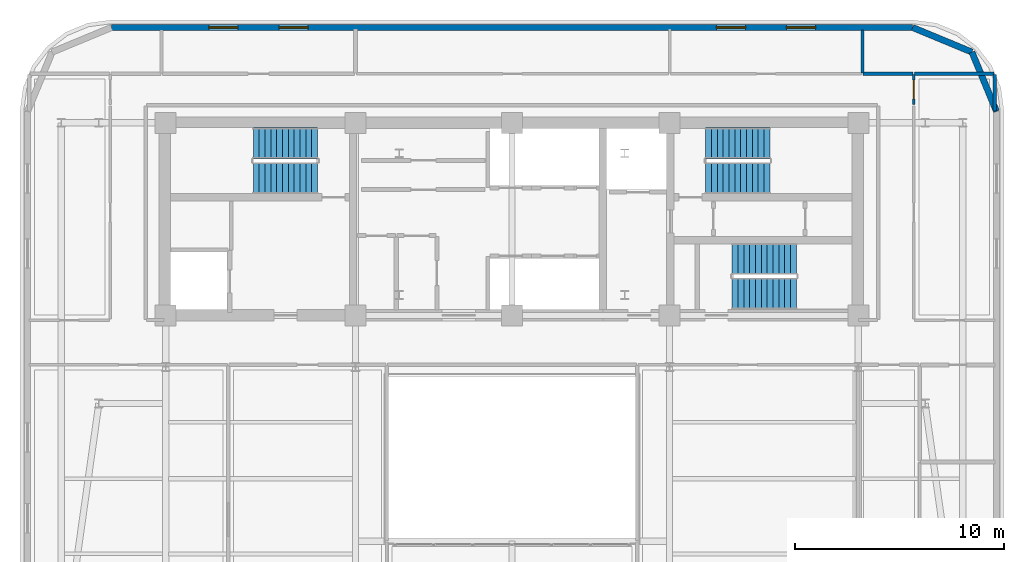
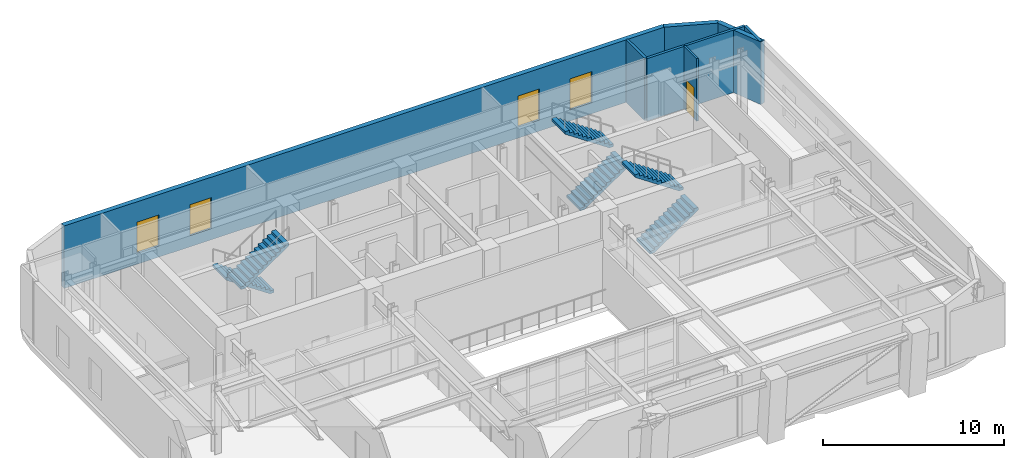
# One storey, part 9 of 13: 8 walls, 6 stair flights, 4 windows, 1 door, 5 openings, 3 elements without a shape of their own.
"""IFC4 building model written with IfcOpenShell, lengths in metres."""

from ifc_helpers import new_model, si_unit, direction, frame, frame_2d, origin, place, context, subcontext, project, spatial, polyline, rectangle, outline, extrude, material, layer, layer_set, type_object, element, fill, aggregate, save


model = new_model("IFC4")

# Units and contexts
model_context = context("Model", 3, precision=1e-05, world=origin(), true_north=direction((0.0, 1.0)))
body_context = subcontext(model_context, "Body", "Model", "MODEL_VIEW")
ifc_project = project(units=[si_unit("LENGTHUNIT", "METRE"), si_unit("AREAUNIT", "SQUARE_METRE"), si_unit("VOLUMEUNIT", "CUBIC_METRE"), si_unit("PLANEANGLEUNIT", "RADIAN"), si_unit("MASSUNIT", "GRAM", prefix="KILO")], contexts=[model_context])

# Site, building, storey
site_placement = place(None, origin())
site = spatial("IfcSite", under=ifc_project, at=site_placement, CompositionType="ELEMENT")
building_placement = place(site_placement, origin())
building = spatial("IfcBuilding", under=site, at=building_placement, Name="Zarnavel Station Tower", CompositionType="ELEMENT")
storey_placement = place(building_placement, frame((0.0, 0.0, 183.85009765625)))
storey = spatial("IfcBuildingStorey", under=building, at=storey_placement, Name="L50", CompositionType="ELEMENT", Elevation=183.85009765625)

# Walls
ifc_material_1 = material(Name="Precast concrete C45/55 (Dark Basalt Finish)", Category="masonry")
ifc_layer_1 = layer(ifc_material_1, 0.300048828125)
ifc_layer_set_1 = layer_set([ifc_layer_1], Name="EW_BASALT_300")
wall_type_1 = type_object("IfcWallType", Name="EW_BASALT_300", PredefinedType="SOLIDWALL", material=ifc_layer_set_1)
for number, where, z_axis, x_axis, name in (
    (1, (50.842529296875, 40.442626953125, 0.0), (0.0, 0.0, 1.0), (0.382704529509, -0.923870793506, 0.0), "L50 Exterior Basalt Masonry Frame Wall 04"),
    (2, (48.0, 41.6201171875, 0.0), (0.0, 0.0, 1.0), (0.923870793506, -0.382704529509, 0.0), "L50 Exterior Basalt Masonry Frame Wall 05"),
):
    element("IfcWall", number, at=place(storey_placement, frame(where, z_axis=z_axis, x_axis=x_axis)), inside=storey, type_object=wall_type_1, Name=name, PredefinedType="SOLIDWALL", context=body_context, shape_type="SweptSolid", body=[
        extrude(rectangle(XDim=3.07666015625, YDim=0.300048828125, at=frame_2d((1.538330078125, 0.0))), origin(), (0.0, 0.0, 1.0), 4.22998046875),
    ])

# Wall, openings, windows
wall_1_placement = place(storey_placement, frame((9.60009765625, 41.6201171875, 0.0), z_axis=(0.0, 0.0, 1.0), x_axis=(1.0, 0.0, 0.0)))
wall_1 = element("IfcWall", 3, at=wall_1_placement, inside=storey, type_object=wall_type_1, Name="L50 Exterior Basalt Masonry Frame Wall 06", PredefinedType="SOLIDWALL", context=body_context, shape_type="SweptSolid", body=[
    extrude(rectangle(XDim=38.39990234375, YDim=0.300048828125, at=frame_2d((19.199951171875, 0.0))), origin(), (0.0, 0.0, 1.0), 4.22998046875),
])
opening_1_placement = place(wall_1_placement, frame((4.666748046875, 0.0, 0.75)))
opening_1 = element("IfcOpeningElement", 4, at=opening_1_placement, cuts=wall_1, Name="Opening WN04", PredefinedType="OPENING", context=body_context, shape_type="SweptSolid", body=[
    extrude(rectangle(XDim=1.39990234375, YDim=2.10009765625, at=frame_2d((0.699951171875, 1.050048828125))), frame((0.0, 0.159912109375, 0.0), z_axis=(0.0, -1.0, 0.0), x_axis=(1.0, 0.0, 0.0)), (0.0, 0.0, 1.0), 0.320068359375),
])
opening_2_placement = place(wall_1_placement, frame((8.033203125, 0.0, 0.75)))
opening_2 = element("IfcOpeningElement", 5, at=opening_2_placement, cuts=wall_1, Name="Opening WN04", PredefinedType="OPENING", context=body_context, shape_type="SweptSolid", body=[
    extrude(rectangle(XDim=1.39990234375, YDim=2.10009765625, at=frame_2d((0.699951171875, 1.050048828125))), frame((0.0, 0.159912109375, 0.0), z_axis=(0.0, -1.0, 0.0), x_axis=(1.0, 0.0, 0.0)), (0.0, 0.0, 1.0), 0.320068359375),
])
opening_3_placement = place(wall_1_placement, frame((29.0, 0.0, 0.75)))
opening_3 = element("IfcOpeningElement", 6, at=opening_3_placement, cuts=wall_1, Name="Opening WN04", PredefinedType="OPENING", context=body_context, shape_type="SweptSolid", body=[
    extrude(rectangle(XDim=1.39990234375, YDim=2.10009765625, at=frame_2d((0.699951171875, 1.050048828125))), frame((0.0, 0.159912109375, 0.0), z_axis=(0.0, -1.0, 0.0), x_axis=(1.0, 0.0, 0.0)), (0.0, 0.0, 1.0), 0.320068359375),
])
opening_4_placement = place(wall_1_placement, frame((32.35009765625, 0.0, 0.75)))
opening_4 = element("IfcOpeningElement", 7, at=opening_4_placement, cuts=wall_1, Name="Opening WN04", PredefinedType="OPENING", context=body_context, shape_type="SweptSolid", body=[
    extrude(rectangle(XDim=1.39990234375, YDim=2.10009765625, at=frame_2d((0.699951171875, 1.050048828125))), frame((0.0, 0.159912109375, 0.0), z_axis=(0.0, -1.0, 0.0), x_axis=(1.0, 0.0, 0.0)), (0.0, 0.0, 1.0), 0.320068359375),
])
ifc_material_2 = material(Name="Thermally Broken Black Aluminium and Low-E Dark Glass", Category="aluminium")
window_type = type_object("IfcWindowType", Name="WN_1400x2100", PartitioningType="DOUBLE_PANEL_VERTICAL", PredefinedType="WINDOW", material=ifc_material_2)
window_1_placement = place(opening_1_placement, origin())
window_1 = element("IfcWindow", 8, at=window_1_placement, inside=storey, type_object=window_type, Name="L50 Recessed Facade Window 01", OverallHeight=2.10009765625, OverallWidth=1.39990234375, PartitioningType="SINGLE_PANEL", PredefinedType="WINDOW", context=body_context, shape_type="SweptSolid", body=[
    extrude(rectangle(XDim=1.39990234375, YDim=2.10009765625, at=frame_2d((0.699951171875, 1.050048828125))), frame((0.0, 0.030029296875, 0.0), z_axis=(0.0, -1.0, 0.0), x_axis=(1.0, 0.0, 0.0)), (0.0, 0.0, 1.0), 0.06005859375),
])
fill(opening_1, window_1)
window_2_placement = place(opening_2_placement, origin())
window_2 = element("IfcWindow", 9, at=window_2_placement, inside=storey, type_object=window_type, Name="L50 Recessed Facade Window 02", OverallHeight=2.10009765625, OverallWidth=1.39990234375, PartitioningType="SINGLE_PANEL", PredefinedType="WINDOW", context=body_context, shape_type="SweptSolid", body=[
    extrude(rectangle(XDim=1.39990234375, YDim=2.10009765625, at=frame_2d((0.699951171875, 1.050048828125))), frame((0.0, 0.030029296875, 0.0), z_axis=(0.0, -1.0, 0.0), x_axis=(1.0, 0.0, 0.0)), (0.0, 0.0, 1.0), 0.06005859375),
])
fill(opening_2, window_2)
window_3_placement = place(opening_3_placement, origin())
window_3 = element("IfcWindow", 10, at=window_3_placement, inside=storey, type_object=window_type, Name="L50 Recessed Facade Window 03", OverallHeight=2.10009765625, OverallWidth=1.39990234375, PartitioningType="SINGLE_PANEL", PredefinedType="WINDOW", context=body_context, shape_type="SweptSolid", body=[
    extrude(rectangle(XDim=1.39990234375, YDim=2.10009765625, at=frame_2d((0.699951171875, 1.050048828125))), frame((0.0, 0.030029296875, 0.0), z_axis=(0.0, -1.0, 0.0), x_axis=(1.0, 0.0, 0.0)), (0.0, 0.0, 1.0), 0.06005859375),
])
fill(opening_3, window_3)
window_4_placement = place(opening_4_placement, origin())
window_4 = element("IfcWindow", 11, at=window_4_placement, inside=storey, type_object=window_type, Name="L50 Recessed Facade Window 04", OverallHeight=2.10009765625, OverallWidth=1.39990234375, PartitioningType="SINGLE_PANEL", PredefinedType="WINDOW", context=body_context, shape_type="SweptSolid", body=[
    extrude(rectangle(XDim=1.39990234375, YDim=2.10009765625, at=frame_2d((0.699951171875, 1.050048828125))), frame((0.0, 0.030029296875, 0.0), z_axis=(0.0, -1.0, 0.0), x_axis=(1.0, 0.0, 0.0)), (0.0, 0.0, 1.0), 0.06005859375),
])
fill(opening_4, window_4)

# Walls
ifc_material_3 = material(Name="Gypsum Twin-Stud Acoustic Fire Partition", Category="concrete")
ifc_layer_2 = layer(ifc_material_3, 0.159912109375)
ifc_layer_set_2 = layer_set([ifc_layer_2], Name="PT_DEMISE_160")
wall_type_2 = type_object("IfcWallType", Name="PT_DEMISE_160", PredefinedType="PARTITIONING", material=ifc_layer_set_2)
wall_2_placement = place(storey_placement, frame((45.6298828125, 39.39990234375, 0.0), z_axis=(0.0, 0.0, 1.0), x_axis=(1.0, 0.0, 0.0)))
element("IfcWall", 12, at=wall_2_placement, inside=storey, type_object=wall_type_2, Name="L50 Enclosure Wall SLCOR-N", PredefinedType="PARTITIONING", context=body_context, shape_type="SweptSolid", body=[
    extrude(rectangle(XDim=2.39013671875, YDim=0.159912109375, at=frame_2d((1.195068359375, 0.0))), origin(), (0.0, 0.0, 1.0), 4.22998046875),
])
wall_3_placement = place(storey_placement, frame((48.080078125, 39.39990234375, 0.0), z_axis=(0.0, 0.0, 1.0), x_axis=(1.0, 0.0, 0.0)))
element("IfcWall", 13, at=wall_3_placement, inside=storey, type_object=wall_type_2, Name="L50 Enclosure Wall SLNE", PredefinedType="PARTITIONING", context=body_context, shape_type="SweptSolid", body=[
    extrude(rectangle(XDim=3.829833984375, YDim=0.159912109375, at=frame_2d((1.9150390625, 0.0))), origin(), (0.0, 0.0, 1.0), 4.22998046875),
])
wall_4_placement = place(storey_placement, frame((51.93994140625, 37.6298828125, 0.0), z_axis=(0.0, 0.0, 1.0), x_axis=(0.0, 1.0, 0.0)))
element("IfcWall", 14, at=wall_4_placement, inside=storey, type_object=wall_type_2, Name="L50 Enclosure Wall SLNE", PredefinedType="PARTITIONING", context=body_context, shape_type="SweptSolid", body=[
    extrude(rectangle(XDim=1.740234375, YDim=0.159912109375, at=frame_2d((0.8701171875, 0.0))), origin(), (0.0, 0.0, 1.0), 4.22998046875),
])
wall_5_placement = place(storey_placement, frame((45.60009765625, 39.429931640625, 0.0), z_axis=(0.0, 0.0, 1.0), x_axis=(0.0, 1.0, 0.0)))
element("IfcWall", 15, at=wall_5_placement, inside=storey, type_object=wall_type_2, Name="L50 Enclosure Wall SLNB", PredefinedType="PARTITIONING", context=body_context, shape_type="SweptSolid", body=[
    extrude(rectangle(XDim=2.080078125, YDim=0.159912109375, at=frame_2d((1.0400390625, 0.0))), origin(), (0.0, 0.0, 1.0), 4.22998046875),
])

# Wall, opening, door
ifc_material_4 = material(Name="Gypsum Metal-Stud Interior Partition", Category="concrete")
ifc_layer_3 = layer(ifc_material_4, 0.1201171875)
ifc_layer_set_3 = layer_set([ifc_layer_3], Name="PT_ROOM_120")
wall_type_3 = type_object("IfcWallType", Name="PT_ROOM_120", PredefinedType="PARTITIONING", material=ifc_layer_set_3)
wall_6_placement = place(storey_placement, frame((48.050048828125, 37.93994140625, 0.0), z_axis=(0.0, 0.0, 1.0), x_axis=(0.0, 1.0, 0.0)))
wall_6 = element("IfcWall", 16, at=wall_6_placement, inside=storey, type_object=wall_type_3, Name="L50 Partition SLCOR-N-SLNE", PredefinedType="PARTITIONING", context=body_context, shape_type="SweptSolid", body=[
    extrude(rectangle(XDim=1.420166015625, YDim=0.1201171875, at=frame_2d((0.7099609375, 0.0))), origin(), (0.0, 0.0, 1.0), 4.22998046875),
])
opening_5_placement = place(wall_6_placement, frame((0.260009765625, 0.0, 0.0)))
opening_5 = element("IfcOpeningElement", 17, at=opening_5_placement, cuts=wall_6, Name="Opening ID01", PredefinedType="OPENING", context=body_context, shape_type="SweptSolid", body=[
    extrude(rectangle(XDim=0.89990234375, YDim=2.10009765625, at=frame_2d((0.449951171875, 1.050048828125))), frame((0.0, 0.070068359375, 0.0), z_axis=(0.0, -1.0, 0.0), x_axis=(1.0, 0.0, 0.0)), (0.0, 0.0, 1.0), 0.14013671875),
])
ifc_material_5 = material(Name="Painted Galvanised Steel and Hardwood Leaf", Category="steel")
door_type = type_object("IfcDoorType", Name="ID_ROOM_900", OperationType="NOTDEFINED", PredefinedType="DOOR", material=ifc_material_5)
door_placement = place(opening_5_placement, origin())
door = element("IfcDoor", 18, at=door_placement, inside=storey, type_object=door_type, Name="L50 Door SLCOR-N-SLNE", OperationType="SINGLE_SWING_LEFT", OverallHeight=2.10009765625, OverallWidth=0.89990234375, PredefinedType="DOOR", context=body_context, shape_type="SweptSolid", body=[
    extrude(rectangle(XDim=0.89990234375, YDim=2.10009765625, at=frame_2d((0.449951171875, 1.050048828125))), frame((0.0, 0.02490234375, 0.0), z_axis=(0.0, -1.0, 0.0), x_axis=(1.0, 0.0, 0.0)), (0.0, 0.0, 1.0), 0.050048828125),
])
fill(opening_5, door)

# Stair, stair flights
ifc_material_6 = material(Name="Concrete C45/55", Category="concrete")
stair_type = type_object("IfcStairType", Name="ST_CORE_150", PredefinedType="HALF_TURN_STAIR", material=ifc_material_6)
stair_1_placement = place(storey_placement, origin())
stair_1 = element("IfcStair", 19, at=stair_1_placement, inside=storey, type_object=stair_type, Name="L50 Core Exit Stair ST1", PredefinedType="HALF_TURN_STAIR")
ifc_material_7 = material(Name="Concrete C45/55", Category="concrete")
ifc_layer_4 = layer(ifc_material_7, 0.179931640625)
ifc_layer_set_4 = layer_set([ifc_layer_4], Name="ST_CORE_150_FLT")
stair_flight_type = type_object("IfcStairFlightType", Name="ST_CORE_150_FLT", PredefinedType="STRAIGHT", material=ifc_layer_set_4)
stair_flight_1_placement = place(storey_placement, frame((19.47998046875, 36.070068359375, 0.0), z_axis=(0.0, 0.0, 1.0), x_axis=(-1.0, 0.0, 0.0)))
stair_flight_1 = element("IfcStairFlight", 20, at=stair_flight_1_placement, type_object=stair_flight_type, Name="ST1 flight 1", NumberOfRisers=12, NumberOfTreads=11, PredefinedType="STRAIGHT", RiserHeight=0.189583333, TreadLength=0.28, context=body_context, shape_type="SweptSolid", body=[
    extrude(outline(polyline([(0.0, 0.0), (0.0, 0.189697265625), (0.280029296875, 0.189697265625), (0.280029296875, 0.379150390625), (0.56005859375, 0.379150390625), (0.56005859375, 0.56884765625), (0.840087890625, 0.56884765625), (0.840087890625, 0.75830078125), (1.1201171875, 0.75830078125), (1.1201171875, 0.947998046875), (1.39990234375, 0.947998046875), (1.39990234375, 1.137451171875), (1.679931640625, 1.137451171875), (1.679931640625, 1.3271484375), (1.9599609375, 1.3271484375), (1.9599609375, 1.5166015625), (2.239990234375, 1.5166015625), (2.239990234375, 1.706298828125), (2.52001953125, 1.706298828125), (2.52001953125, 1.895751953125), (2.800048828125, 1.895751953125), (2.800048828125, 2.08544921875), (3.080078125, 2.08544921875), (3.080078125, 2.27490234375), (3.080078125, 1.904296875), (0.267333984375, 0.0), (0.0, 0.0)])), frame((0.0, 0.75, 0.0), z_axis=(0.0, -1.0, 0.0), x_axis=(1.0, 0.0, 0.0)), (0.0, 0.0, 1.0), 1.5),
])
stair_flight_2_placement = place(storey_placement, frame((16.39990234375, 34.409912109375, 2.27490234375), z_axis=(0.0, 0.0, 1.0), x_axis=(1.0, 0.0, 0.0)))
stair_flight_2 = element("IfcStairFlight", 21, at=stair_flight_2_placement, type_object=stair_flight_type, Name="ST1 flight 2", NumberOfRisers=12, NumberOfTreads=11, PredefinedType="STRAIGHT", RiserHeight=0.189583333, TreadLength=0.28, context=body_context, shape_type="SweptSolid", body=[
    extrude(outline(polyline([(0.0, 0.0), (0.0, 0.189697265625), (0.280029296875, 0.189697265625), (0.280029296875, 0.379150390625), (0.56005859375, 0.379150390625), (0.56005859375, 0.56884765625), (0.840087890625, 0.56884765625), (0.840087890625, 0.75830078125), (1.1201171875, 0.75830078125), (1.1201171875, 0.947998046875), (1.39990234375, 0.947998046875), (1.39990234375, 1.137451171875), (1.679931640625, 1.137451171875), (1.679931640625, 1.3271484375), (1.9599609375, 1.3271484375), (1.9599609375, 1.5166015625), (2.239990234375, 1.5166015625), (2.239990234375, 1.706298828125), (2.52001953125, 1.706298828125), (2.52001953125, 1.895751953125), (2.800048828125, 1.895751953125), (2.800048828125, 2.08544921875), (3.080078125, 2.08544921875), (3.080078125, 2.27490234375), (3.080078125, 1.904296875), (0.267333984375, 0.0), (0.0, 0.0)])), frame((0.0, 0.75, 0.0), z_axis=(0.0, -1.0, 0.0), x_axis=(1.0, 0.0, 0.0)), (0.0, 0.0, 1.0), 1.5),
])
aggregate(stair_1, [stair_flight_1, stair_flight_2])

stair_2_placement = place(storey_placement, origin())
stair_2 = element("IfcStair", 22, at=stair_2_placement, inside=storey, type_object=stair_type, Name="L50 Core Exit Stair ST2", PredefinedType="HALF_TURN_STAIR")
stair_flight_3_placement = place(storey_placement, frame((38.080078125, 34.409912109375, 0.0), z_axis=(0.0, 0.0, 1.0), x_axis=(1.0, 0.0, 0.0)))
stair_flight_3 = element("IfcStairFlight", 23, at=stair_flight_3_placement, type_object=stair_flight_type, Name="ST2 flight 1", NumberOfRisers=12, NumberOfTreads=11, PredefinedType="STRAIGHT", RiserHeight=0.189583333, TreadLength=0.28, context=body_context, shape_type="SweptSolid", body=[
    extrude(outline(polyline([(0.0, 0.0), (0.0, 0.189697265625), (0.280029296875, 0.189697265625), (0.280029296875, 0.379150390625), (0.56005859375, 0.379150390625), (0.56005859375, 0.56884765625), (0.840087890625, 0.56884765625), (0.840087890625, 0.75830078125), (1.1201171875, 0.75830078125), (1.1201171875, 0.947998046875), (1.39990234375, 0.947998046875), (1.39990234375, 1.137451171875), (1.679931640625, 1.137451171875), (1.679931640625, 1.3271484375), (1.9599609375, 1.3271484375), (1.9599609375, 1.5166015625), (2.239990234375, 1.5166015625), (2.239990234375, 1.706298828125), (2.52001953125, 1.706298828125), (2.52001953125, 1.895751953125), (2.800048828125, 1.895751953125), (2.800048828125, 2.08544921875), (3.080078125, 2.08544921875), (3.080078125, 2.27490234375), (3.080078125, 1.904296875), (0.267333984375, 0.0), (0.0, 0.0)])), frame((0.0, 0.75, 0.0), z_axis=(0.0, -1.0, 0.0), x_axis=(1.0, 0.0, 0.0)), (0.0, 0.0, 1.0), 1.5),
])
stair_flight_4_placement = place(storey_placement, frame((41.159912109375, 36.070068359375, 2.27490234375), z_axis=(0.0, 0.0, 1.0), x_axis=(-1.0, 0.0, 0.0)))
stair_flight_4 = element("IfcStairFlight", 24, at=stair_flight_4_placement, type_object=stair_flight_type, Name="ST2 flight 2", NumberOfRisers=12, NumberOfTreads=11, PredefinedType="STRAIGHT", RiserHeight=0.189583333, TreadLength=0.28, context=body_context, shape_type="SweptSolid", body=[
    extrude(outline(polyline([(0.0, 0.0), (0.0, 0.189697265625), (0.280029296875, 0.189697265625), (0.280029296875, 0.379150390625), (0.56005859375, 0.379150390625), (0.56005859375, 0.56884765625), (0.840087890625, 0.56884765625), (0.840087890625, 0.75830078125), (1.1201171875, 0.75830078125), (1.1201171875, 0.947998046875), (1.39990234375, 0.947998046875), (1.39990234375, 1.137451171875), (1.679931640625, 1.137451171875), (1.679931640625, 1.3271484375), (1.9599609375, 1.3271484375), (1.9599609375, 1.5166015625), (2.239990234375, 1.5166015625), (2.239990234375, 1.706298828125), (2.52001953125, 1.706298828125), (2.52001953125, 1.895751953125), (2.800048828125, 1.895751953125), (2.800048828125, 2.08544921875), (3.080078125, 2.08544921875), (3.080078125, 2.27490234375), (3.080078125, 1.904296875), (0.267333984375, 0.0), (0.0, 0.0)])), frame((0.0, 0.75, 0.0), z_axis=(0.0, -1.0, 0.0), x_axis=(1.0, 0.0, 0.0)), (0.0, 0.0, 1.0), 1.5),
])
aggregate(stair_2, [stair_flight_3, stair_flight_4])

stair_3_placement = place(storey_placement, origin())
stair_3 = element("IfcStair", 25, at=stair_3_placement, inside=storey, type_object=stair_type, Name="L50 Core Exit Stair ST3", PredefinedType="HALF_TURN_STAIR")
stair_flight_5_placement = place(storey_placement, frame((39.35009765625, 28.8701171875, 0.0), z_axis=(0.0, 0.0, 1.0), x_axis=(1.0, 0.0, 0.0)))
stair_flight_5 = element("IfcStairFlight", 26, at=stair_flight_5_placement, type_object=stair_flight_type, Name="ST3 flight 1", NumberOfRisers=12, NumberOfTreads=11, PredefinedType="STRAIGHT", RiserHeight=0.189583333, TreadLength=0.28, context=body_context, shape_type="SweptSolid", body=[
    extrude(outline(polyline([(0.0, 0.0), (0.0, 0.189697265625), (0.280029296875, 0.189697265625), (0.280029296875, 0.379150390625), (0.56005859375, 0.379150390625), (0.56005859375, 0.56884765625), (0.840087890625, 0.56884765625), (0.840087890625, 0.75830078125), (1.1201171875, 0.75830078125), (1.1201171875, 0.947998046875), (1.39990234375, 0.947998046875), (1.39990234375, 1.137451171875), (1.679931640625, 1.137451171875), (1.679931640625, 1.3271484375), (1.9599609375, 1.3271484375), (1.9599609375, 1.5166015625), (2.239990234375, 1.5166015625), (2.239990234375, 1.706298828125), (2.52001953125, 1.706298828125), (2.52001953125, 1.895751953125), (2.800048828125, 1.895751953125), (2.800048828125, 2.08544921875), (3.080078125, 2.08544921875), (3.080078125, 2.27490234375), (3.080078125, 1.904296875), (0.267333984375, 0.0), (0.0, 0.0)])), frame((0.0, 0.75, 0.0), z_axis=(0.0, -1.0, 0.0), x_axis=(1.0, 0.0, 0.0)), (0.0, 0.0, 1.0), 1.5),
])
stair_flight_6_placement = place(storey_placement, frame((42.429931640625, 30.530029296875, 2.27490234375), z_axis=(0.0, 0.0, 1.0), x_axis=(-1.0, 0.0, 0.0)))
stair_flight_6 = element("IfcStairFlight", 27, at=stair_flight_6_placement, type_object=stair_flight_type, Name="ST3 flight 2", NumberOfRisers=12, NumberOfTreads=11, PredefinedType="STRAIGHT", RiserHeight=0.189583333, TreadLength=0.28, context=body_context, shape_type="SweptSolid", body=[
    extrude(outline(polyline([(0.0, 0.0), (0.0, 0.189697265625), (0.280029296875, 0.189697265625), (0.280029296875, 0.379150390625), (0.56005859375, 0.379150390625), (0.56005859375, 0.56884765625), (0.840087890625, 0.56884765625), (0.840087890625, 0.75830078125), (1.1201171875, 0.75830078125), (1.1201171875, 0.947998046875), (1.39990234375, 0.947998046875), (1.39990234375, 1.137451171875), (1.679931640625, 1.137451171875), (1.679931640625, 1.3271484375), (1.9599609375, 1.3271484375), (1.9599609375, 1.5166015625), (2.239990234375, 1.5166015625), (2.239990234375, 1.706298828125), (2.52001953125, 1.706298828125), (2.52001953125, 1.895751953125), (2.800048828125, 1.895751953125), (2.800048828125, 2.08544921875), (3.080078125, 2.08544921875), (3.080078125, 2.27490234375), (3.080078125, 1.904296875), (0.267333984375, 0.0), (0.0, 0.0)])), frame((0.0, 0.75, 0.0), z_axis=(0.0, -1.0, 0.0), x_axis=(1.0, 0.0, 0.0)), (0.0, 0.0, 1.0), 1.5),
])
aggregate(stair_3, [stair_flight_5, stair_flight_6])

save(model, "model.ifc")
